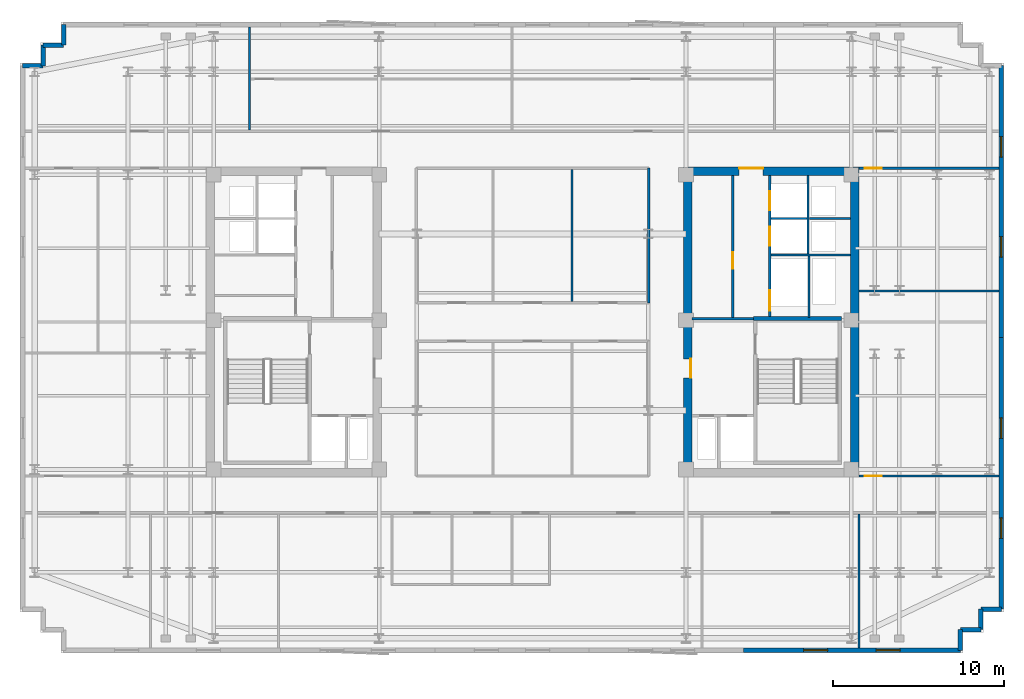
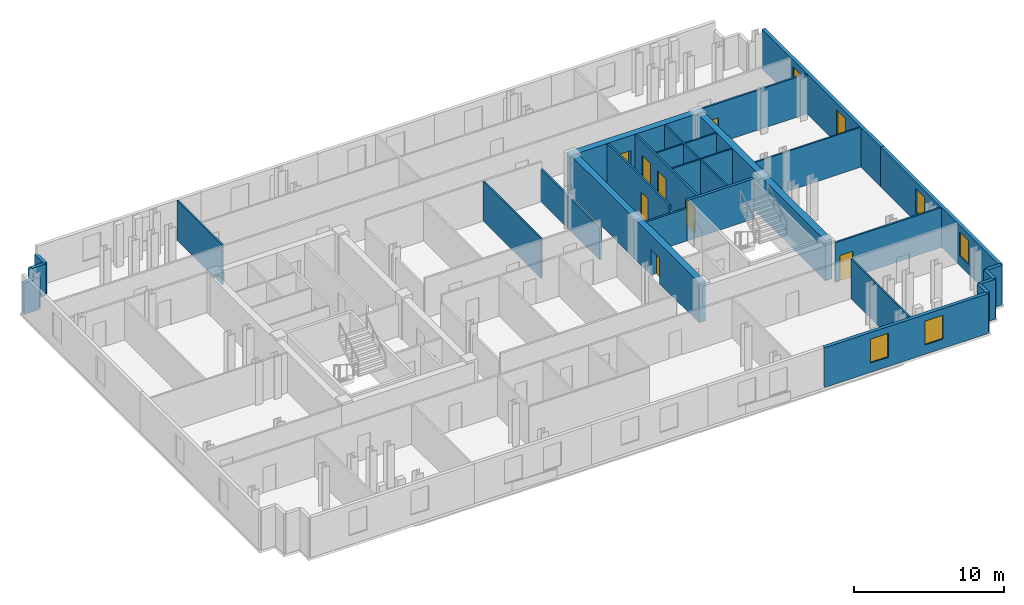
# One storey, part 6 of 9: 30 walls, 8 doors, 6 windows, 14 openings.
"""IFC4 building model written with IfcOpenShell, lengths in metres."""

from ifc_helpers import new_model, si_unit, direction, frame, frame_2d, origin, place, context, subcontext, project, spatial, rectangle, extrude, material, layer, layer_set, type_object, element, fill, save


model = new_model("IFC4")

# Units and contexts
model_context = context("Model", 3, precision=1e-05, world=origin(), true_north=direction((0.0, 1.0)))
body_context = subcontext(model_context, "Body", "Model", "MODEL_VIEW")
ifc_project = project(units=[si_unit("LENGTHUNIT", "METRE"), si_unit("AREAUNIT", "SQUARE_METRE"), si_unit("VOLUMEUNIT", "CUBIC_METRE"), si_unit("PLANEANGLEUNIT", "RADIAN"), si_unit("MASSUNIT", "GRAM", prefix="KILO")], contexts=[model_context])

# Site, building, storey
site_placement = place(None, origin())
site = spatial("IfcSite", under=ifc_project, at=site_placement, CompositionType="ELEMENT")
building_placement = place(site_placement, origin())
building = spatial("IfcBuilding", under=site, at=building_placement, Name="Velakula Bourse", CompositionType="ELEMENT")
storey_placement = place(building_placement, frame((0.0, 0.0, 229.199951171875)))
storey = spatial("IfcBuildingStorey", under=building, at=storey_placement, Name="L62", CompositionType="ELEMENT", Elevation=229.199951171875)

# Wall
ifc_material_1 = material(Name="Concrete M50 (fck 50 MPa)", Category="concrete")
ifc_layer_1 = layer(ifc_material_1, 0.2099609375, Name="Concrete M50 (fck 50 MPa)", Category="concrete")
ifc_layer_set_1 = layer_set([ifc_layer_1], Name="Concrete M50 (fck 50 MPa)")
wall_type_1 = type_object("IfcWallType", Name="WL-CORE-210", PredefinedType="SHEAR", material=ifc_layer_set_1)
wall_1_placement = place(storey_placement, frame((18.030029296875, 0.205078125, 0.0), z_axis=(0.0, 0.0, 1.0), x_axis=(-1.0, 0.0, 0.0)))
element("IfcWall", 1, at=wall_1_placement, inside=storey, type_object=wall_type_1, Name="L62 Core E Stairwell Shear Wall N", PredefinedType="SHEAR", context=body_context, shape_type="SweptSolid", body=[
    extrude(rectangle(XDim=5.14013671875, YDim=0.2099609375, at=frame_2d((2.570068359375, 0.0))), origin(), (0.0, 0.0, 1.0), 3.27001953125),
])

# Wall, opening, door
ifc_layer_2 = layer(ifc_material_1, 0.5, Name="Concrete M50 (fck 50 MPa)", Category="concrete")
ifc_layer_set_2 = layer_set([ifc_layer_2], Name="Concrete M50 (fck 50 MPa)")
wall_type_2 = type_object("IfcWallType", Name="WL-CORE-500", PredefinedType="SHEAR", material=ifc_layer_set_2)
wall_2_placement = place(storey_placement, frame((8.800048828125, 8.800048828125, 0.0), z_axis=(0.0, 0.0, 1.0), x_axis=(1.0, 0.0, 0.0)))
wall_2 = element("IfcWall", 2, at=wall_2_placement, inside=storey, type_object=wall_type_2, Name="L62 Core E Shear Wall N", PredefinedType="SHEAR", context=body_context, shape_type="SweptSolid", body=[
    extrude(rectangle(XDim=10.25, YDim=0.5, at=frame_2d((5.125, 0.0))), origin(), (0.0, 0.0, 1.0), 3.27001953125),
])
opening_1_placement = place(wall_2_placement, frame((3.25, 0.0, 0.0)))
opening_1 = element("IfcOpeningElement", 3, at=opening_1_placement, cuts=wall_2, Name="Opening D-LLE", PredefinedType="OPENING", context=body_context, shape_type="SweptSolid", body=[
    extrude(rectangle(XDim=1.39990234375, YDim=2.050048828125, at=frame_2d((0.699951171875, 1.02490234375))), frame((0.0, 0.260009765625, 0.0), z_axis=(0.0, -1.0, 0.0), x_axis=(1.0, 0.0, 0.0)), (0.0, 0.0, 1.0), 0.52001953125),
])
ifc_material_2 = material(Name="Fire-rated hardwood flush architectural door", Category="wood")
door_type_1 = type_object("IfcDoorType", Name="DR-DBL-FD60-1400", OperationType="DOUBLE_DOOR_SINGLE_SWING", PredefinedType="DOOR", material=ifc_material_2)
door_1_placement = place(opening_1_placement, origin())
door_1 = element("IfcDoor", 4, at=door_1_placement, inside=storey, type_object=door_type_1, Name="L62 Core E Lift Lobby Corridor Double Door", OperationType="DOUBLE_DOOR_SINGLE_SWING", OverallHeight=2.050048828125, OverallWidth=1.39990234375, PredefinedType="DOOR", context=body_context, shape_type="SweptSolid", body=[
    extrude(rectangle(XDim=1.39990234375, YDim=2.050048828125, at=frame_2d((0.699951171875, 1.02490234375))), frame((0.0, 0.19482421875, 0.0), z_axis=(0.0, -1.0, 0.0), x_axis=(1.0, 0.0, 0.0)), (0.0, 0.0, 1.0), 0.050048828125),
])
fill(opening_1, door_1)

wall_3_placement = place(storey_placement, frame((9.050048828125, -8.550048828125, 0.0), z_axis=(0.0, 0.0, 1.0), x_axis=(0.0, 1.0, 0.0)))
wall_3 = element("IfcWall", 5, at=wall_3_placement, inside=storey, type_object=wall_type_2, Name="L62 Core E Shear Wall W", PredefinedType="SHEAR", context=body_context, shape_type="SweptSolid", body=[
    extrude(rectangle(XDim=17.10009765625, YDim=0.5, at=frame_2d((8.550048828125, 0.0))), origin(), (0.0, 0.0, 1.0), 3.27001953125),
])
opening_2_placement = place(wall_3_placement, frame((5.300048828125, 0.0, 0.0)))
opening_2 = element("IfcOpeningElement", 6, at=opening_2_placement, cuts=wall_3, Name="Opening D-FLE", PredefinedType="OPENING", context=body_context, shape_type="SweptSolid", body=[
    extrude(rectangle(XDim=1.10009765625, YDim=2.080078125, at=frame_2d((0.550048828125, 1.0400390625))), frame((0.0, 0.260009765625, 0.0), z_axis=(0.0, -1.0, 0.0), x_axis=(1.0, 0.0, 0.0)), (0.0, 0.0, 1.0), 0.52001953125),
])
ifc_material_3 = material(Name="Galvanised painted hollow steel fire door", Category="steel")
door_type_2 = type_object("IfcDoorType", Name="DR-FD120-1100", OperationType="NOTDEFINED", PredefinedType="DOOR", material=ifc_material_3)
door_2_placement = place(opening_2_placement, origin())
door_2 = element("IfcDoor", 7, at=door_2_placement, inside=storey, type_object=door_type_2, Name="L62 Firefighting Lobby E Corridor Fire Door", OperationType="SINGLE_SWING_RIGHT", OverallHeight=2.080078125, OverallWidth=1.10009765625, PredefinedType="DOOR", context=body_context, shape_type="SweptSolid", body=[
    extrude(rectangle(XDim=1.10009765625, YDim=2.080078125, at=frame_2d((0.550048828125, 1.0400390625))), frame((0.0, -0.15478515625, 0.0), z_axis=(0.0, -1.0, 0.0), x_axis=(1.0, 0.0, 0.0)), (0.0, 0.0, 1.0), 0.050048828125),
])
fill(opening_2, door_2)

# Wall
wall_4_placement = place(storey_placement, frame((18.800048828125, -8.550048828125, 0.0), z_axis=(0.0, 0.0, 1.0), x_axis=(0.0, 1.0, 0.0)))
element("IfcWall", 8, at=wall_4_placement, inside=storey, type_object=wall_type_2, Name="L62 Core E Shear Wall E", PredefinedType="SHEAR", context=body_context, shape_type="SweptSolid", body=[
    extrude(rectangle(XDim=17.10009765625, YDim=0.5, at=frame_2d((8.550048828125, 0.0))), origin(), (0.0, 0.0, 1.0), 3.27001953125),
])

# Wall, openings, windows
ifc_material_4 = material(Name="Buff kilned clay facing brick masonry", Category="masonry")
ifc_layer_3 = layer(ifc_material_4, 0.260009765625, Name="Buff kilned clay facing brick masonry", Category="masonry")
ifc_layer_set_3 = layer_set([ifc_layer_3], Name="Buff kilned clay facing brick masonry")
wall_type_3 = type_object("IfcWallType", Name="WL-EXT-BRK-260", PredefinedType="STANDARD", material=ifc_layer_set_3)
wall_5_placement = place(storey_placement, frame((24.949951171875, -19.14990234375, 0.0), z_axis=(0.0, 0.0, 1.0), x_axis=(-1.0, 0.0, 0.0)))
wall_5 = element("IfcWall", 9, at=wall_5_placement, inside=storey, type_object=wall_type_3, Name="L62 S Brick Spandrel Wall B5", PredefinedType="STANDARD", context=body_context, shape_type="SweptSolid", body=[
    extrude(rectangle(XDim=12.64990234375, YDim=0.260009765625, at=frame_2d((6.324951171875, 0.0))), origin(), (0.0, 0.0, 1.0), 3.25),
])
opening_3_placement = place(wall_5_placement, frame((3.5166015625, 0.0, 0.760009765625)))
opening_3 = element("IfcOpeningElement", 10, at=opening_3_placement, cuts=wall_5, Name="Opening W-03", PredefinedType="OPENING", context=body_context, shape_type="SweptSolid", body=[
    extrude(rectangle(XDim=1.39990234375, YDim=1.949951171875, at=frame_2d((0.699951171875, 0.97509765625))), frame((0.0, 0.139892578125, 0.0), z_axis=(0.0, -1.0, 0.0), x_axis=(1.0, 0.0, 0.0)), (0.0, 0.0, 1.0), 0.280029296875),
])
opening_4_placement = place(wall_5_placement, frame((7.7333984375, 0.0, 0.760009765625)))
opening_4 = element("IfcOpeningElement", 11, at=opening_4_placement, cuts=wall_5, Name="Opening W-03", PredefinedType="OPENING", context=body_context, shape_type="SweptSolid", body=[
    extrude(rectangle(XDim=1.39990234375, YDim=1.949951171875, at=frame_2d((0.699951171875, 0.97509765625))), frame((0.0, 0.139892578125, 0.0), z_axis=(0.0, -1.0, 0.0), x_axis=(1.0, 0.0, 0.0)), (0.0, 0.0, 1.0), 0.280029296875),
])
ifc_material_5 = material(Name="Double-glazed solar-control Low-E glass", Category="glass")
window_type_1 = type_object("IfcWindowType", Name="WIN-TWR-1400x2100", PartitioningType="SINGLE_PANEL", PredefinedType="WINDOW", material=ifc_material_5)
window_1_placement = place(opening_3_placement, origin())
window_1 = element("IfcWindow", 12, at=window_1_placement, inside=storey, type_object=window_type_1, Name="L62 Deep-Set Recessed Window 1", OverallHeight=1.949951171875, OverallWidth=1.39990234375, PartitioningType="SINGLE_PANEL", PredefinedType="WINDOW", context=body_context, shape_type="SweptSolid", body=[
    extrude(rectangle(XDim=1.39990234375, YDim=1.949951171875, at=frame_2d((0.699951171875, 0.97509765625))), frame((0.0, 0.030029296875, 0.0), z_axis=(0.0, -1.0, 0.0), x_axis=(1.0, 0.0, 0.0)), (0.0, 0.0, 1.0), 0.06005859375),
])
fill(opening_3, window_1)
window_2_placement = place(opening_4_placement, origin())
window_2 = element("IfcWindow", 13, at=window_2_placement, inside=storey, type_object=window_type_1, Name="L62 Deep-Set Recessed Window 2", OverallHeight=1.949951171875, OverallWidth=1.39990234375, PartitioningType="SINGLE_PANEL", PredefinedType="WINDOW", context=body_context, shape_type="SweptSolid", body=[
    extrude(rectangle(XDim=1.39990234375, YDim=1.949951171875, at=frame_2d((0.699951171875, 0.97509765625))), frame((0.0, 0.030029296875, 0.0), z_axis=(0.0, -1.0, 0.0), x_axis=(1.0, 0.0, 0.0)), (0.0, 0.0, 1.0), 0.06005859375),
])
fill(opening_4, window_2)

wall_6_placement = place(storey_placement, frame((27.35009765625, -0.89990234375, 0.0), z_axis=(0.0, 0.0, 1.0), x_axis=(0.0, -1.0, 0.0)))
wall_6 = element("IfcWall", 14, at=wall_6_placement, inside=storey, type_object=wall_type_3, Name="L62 E Brick End Wall W1", PredefinedType="STANDARD", context=body_context, shape_type="SweptSolid", body=[
    extrude(rectangle(XDim=15.85009765625, YDim=0.260009765625, at=frame_2d((7.925048828125, 0.0))), origin(), (0.0, 0.0, 1.0), 3.25),
])
opening_5_placement = place(wall_6_placement, frame((4.683349609375, 0.0, 0.760009765625)))
opening_5 = element("IfcOpeningElement", 15, at=opening_5_placement, cuts=wall_6, Name="Opening W-04", PredefinedType="OPENING", context=body_context, shape_type="SweptSolid", body=[
    extrude(rectangle(XDim=1.199951171875, YDim=1.949951171875, at=frame_2d((0.60009765625, 0.97509765625))), frame((0.0, 0.139892578125, 0.0), z_axis=(0.0, -1.0, 0.0), x_axis=(1.0, 0.0, 0.0)), (0.0, 0.0, 1.0), 0.280029296875),
])
opening_6_placement = place(wall_6_placement, frame((10.5166015625, 0.0, 0.760009765625)))
opening_6 = element("IfcOpeningElement", 16, at=opening_6_placement, cuts=wall_6, Name="Opening W-04", PredefinedType="OPENING", context=body_context, shape_type="SweptSolid", body=[
    extrude(rectangle(XDim=1.199951171875, YDim=1.949951171875, at=frame_2d((0.60009765625, 0.97509765625))), frame((0.0, 0.139892578125, 0.0), z_axis=(0.0, -1.0, 0.0), x_axis=(1.0, 0.0, 0.0)), (0.0, 0.0, 1.0), 0.280029296875),
])
window_type_2 = type_object("IfcWindowType", Name="WIN-TWR-1200x2100", PartitioningType="SINGLE_PANEL", PredefinedType="WINDOW", material=ifc_material_5)
window_3_placement = place(opening_5_placement, origin())
window_3 = element("IfcWindow", 17, at=window_3_placement, inside=storey, type_object=window_type_2, Name="L62 Deep-Set Recessed Window 1", OverallHeight=1.949951171875, OverallWidth=1.199951171875, PartitioningType="SINGLE_PANEL", PredefinedType="WINDOW", context=body_context, shape_type="SweptSolid", body=[
    extrude(rectangle(XDim=1.199951171875, YDim=1.949951171875, at=frame_2d((0.60009765625, 0.97509765625))), frame((0.0, 0.030029296875, 0.0), z_axis=(0.0, -1.0, 0.0), x_axis=(1.0, 0.0, 0.0)), (0.0, 0.0, 1.0), 0.06005859375),
])
fill(opening_5, window_3)
window_4_placement = place(opening_6_placement, origin())
window_4 = element("IfcWindow", 18, at=window_4_placement, inside=storey, type_object=window_type_2, Name="L62 Deep-Set Recessed Window 2", OverallHeight=1.949951171875, OverallWidth=1.199951171875, PartitioningType="SINGLE_PANEL", PredefinedType="WINDOW", context=body_context, shape_type="SweptSolid", body=[
    extrude(rectangle(XDim=1.199951171875, YDim=1.949951171875, at=frame_2d((0.60009765625, 0.97509765625))), frame((0.0, 0.030029296875, 0.0), z_axis=(0.0, -1.0, 0.0), x_axis=(1.0, 0.0, 0.0)), (0.0, 0.0, 1.0), 0.06005859375),
])
fill(opening_6, window_4)

wall_7_placement = place(storey_placement, frame((27.35009765625, 14.949951171875, 0.0), z_axis=(0.0, 0.0, 1.0), x_axis=(0.0, -1.0, 0.0)))
wall_7 = element("IfcWall", 19, at=wall_7_placement, inside=storey, type_object=wall_type_3, Name="L62 E Brick End Wall W2", PredefinedType="STANDARD", context=body_context, shape_type="SweptSolid", body=[
    extrude(rectangle(XDim=15.849853515625, YDim=0.260009765625, at=frame_2d((7.9248046875, 0.0))), origin(), (0.0, 0.0, 1.0), 3.25),
])
opening_7_placement = place(wall_7_placement, frame((4.13330078125, 0.0, 0.760009765625)))
opening_7 = element("IfcOpeningElement", 20, at=opening_7_placement, cuts=wall_7, Name="Opening W-04", PredefinedType="OPENING", context=body_context, shape_type="SweptSolid", body=[
    extrude(rectangle(XDim=1.199951171875, YDim=1.949951171875, at=frame_2d((0.60009765625, 0.97509765625))), frame((0.0, 0.139892578125, 0.0), z_axis=(0.0, -1.0, 0.0), x_axis=(1.0, 0.0, 0.0)), (0.0, 0.0, 1.0), 0.280029296875),
])
opening_8_placement = place(wall_7_placement, frame((9.966796875, 0.0, 0.760009765625)))
opening_8 = element("IfcOpeningElement", 21, at=opening_8_placement, cuts=wall_7, Name="Opening W-04", PredefinedType="OPENING", context=body_context, shape_type="SweptSolid", body=[
    extrude(rectangle(XDim=1.199951171875, YDim=1.949951171875, at=frame_2d((0.60009765625, 0.97509765625))), frame((0.0, 0.139892578125, 0.0), z_axis=(0.0, -1.0, 0.0), x_axis=(1.0, 0.0, 0.0)), (0.0, 0.0, 1.0), 0.280029296875),
])
window_5_placement = place(opening_7_placement, origin())
window_5 = element("IfcWindow", 22, at=window_5_placement, inside=storey, type_object=window_type_2, Name="L62 Deep-Set Recessed Window 1", OverallHeight=1.949951171875, OverallWidth=1.199951171875, PartitioningType="SINGLE_PANEL", PredefinedType="WINDOW", context=body_context, shape_type="SweptSolid", body=[
    extrude(rectangle(XDim=1.199951171875, YDim=1.949951171875, at=frame_2d((0.60009765625, 0.97509765625))), frame((0.0, 0.030029296875, 0.0), z_axis=(0.0, -1.0, 0.0), x_axis=(1.0, 0.0, 0.0)), (0.0, 0.0, 1.0), 0.06005859375),
])
fill(opening_7, window_5)
window_6_placement = place(opening_8_placement, origin())
window_6 = element("IfcWindow", 23, at=window_6_placement, inside=storey, type_object=window_type_2, Name="L62 Deep-Set Recessed Window 2", OverallHeight=1.949951171875, OverallWidth=1.199951171875, PartitioningType="SINGLE_PANEL", PredefinedType="WINDOW", context=body_context, shape_type="SweptSolid", body=[
    extrude(rectangle(XDim=1.199951171875, YDim=1.949951171875, at=frame_2d((0.60009765625, 0.97509765625))), frame((0.0, 0.030029296875, 0.0), z_axis=(0.0, -1.0, 0.0), x_axis=(1.0, 0.0, 0.0)), (0.0, 0.0, 1.0), 0.06005859375),
])
fill(opening_8, window_6)

# Walls
for number, where, z_axis, x_axis, name in (
    (24, (24.949951171875, -19.14990234375, 0.0), (0.0, 0.0, 1.0), (0.0, 1.0, 0.0), "L62 Serrated Corner Brick Wall SE-1"),
    (25, (24.949951171875, -17.949951171875, 0.0), (0.0, 0.0, 1.0), (1.0, 0.0, 0.0), "L62 Serrated Corner Brick Wall SE-2"),
    (26, (26.14990234375, -17.949951171875, 0.0), (0.0, 0.0, 1.0), (0.0, 1.0, 0.0), "L62 Serrated Corner Brick Wall SE-3"),
):
    element("IfcWall", number, at=place(storey_placement, frame(where, z_axis=z_axis, x_axis=x_axis)), inside=storey, type_object=wall_type_3, Name=name, PredefinedType="STANDARD", context=body_context, shape_type="SweptSolid", body=[
        extrude(rectangle(XDim=1.199951171875, YDim=0.260009765625, at=frame_2d((0.60009765625, 0.0))), origin(), (0.0, 0.0, 1.0), 3.25),
    ])
wall_8_placement = place(storey_placement, frame((26.14990234375, -16.75, 0.0), z_axis=(0.0, 0.0, 1.0), x_axis=(1.0, 0.0, 0.0)))
element("IfcWall", 27, at=wall_8_placement, inside=storey, type_object=wall_type_3, Name="L62 Serrated Corner Brick Wall SE-4", PredefinedType="STANDARD", context=body_context, shape_type="SweptSolid", body=[
    extrude(rectangle(XDim=1.2001953125, YDim=0.260009765625, at=frame_2d((0.60009765625, 0.0))), origin(), (0.0, 0.0, 1.0), 3.25),
])
wall_9_placement = place(storey_placement, frame((-27.35009765625, 17.35009765625, 0.0), z_axis=(0.0, 0.0, 1.0), x_axis=(0.0, -1.0, 0.0)))
element("IfcWall", 28, at=wall_9_placement, inside=storey, type_object=wall_type_3, Name="L62 Serrated Corner Brick Wall NW-1", PredefinedType="STANDARD", context=body_context, shape_type="SweptSolid", body=[
    extrude(rectangle(XDim=1.2001953125, YDim=0.260009765625, at=frame_2d((0.60009765625, 0.0))), origin(), (0.0, 0.0, 1.0), 2.56494140625),
])
for number, where, z_axis, x_axis, name in (
    (29, (-27.35009765625, 16.14990234375, 0.0), (0.0, 0.0, 1.0), (-1.0, 0.0, 0.0), "L62 Serrated Corner Brick Wall NW-2"),
    (30, (-28.550048828125, 16.14990234375, 0.0), (0.0, 0.0, 1.0), (0.0, -1.0, 0.0), "L62 Serrated Corner Brick Wall NW-3"),
    (31, (-28.550048828125, 14.949951171875, 0.0), (0.0, 0.0, 1.0), (-1.0, 0.0, 0.0), "L62 Serrated Corner Brick Wall NW-4"),
):
    element("IfcWall", number, at=place(storey_placement, frame(where, z_axis=z_axis, x_axis=x_axis)), inside=storey, type_object=wall_type_3, Name=name, PredefinedType="STANDARD", context=body_context, shape_type="SweptSolid", body=[
        extrude(rectangle(XDim=1.199951171875, YDim=0.260009765625, at=frame_2d((0.60009765625, 0.0))), origin(), (0.0, 0.0, 1.0), 2.56494140625),
    ])
ifc_material_6 = material(Name="Fire-rated double-layer gypsum drywall partition", Category="gypsum")
ifc_layer_4 = layer(ifc_material_6, 0.1201171875, Name="Fire-rated double-layer gypsum drywall partition", Category="gypsum")
ifc_layer_set_4 = layer_set([ifc_layer_4], Name="Fire-rated double-layer gypsum drywall partition")
wall_type_4 = type_object("IfcWallType", Name="WL-PART-120", PredefinedType="STANDARD", material=ifc_layer_set_4)
wall_10_placement = place(storey_placement, frame((13.89990234375, 3.919921875, 0.0), z_axis=(0.0, 0.0, 1.0), x_axis=(1.0, 0.0, 0.0)))
element("IfcWall", 32, at=wall_10_placement, inside=storey, type_object=wall_type_4, Name="L62 Interior Partition WL-CRE-L62-HI-S", PredefinedType="STANDARD", context=body_context, shape_type="SweptSolid", body=[
    extrude(rectangle(XDim=4.650146484375, YDim=0.1201171875, at=frame_2d((2.3251953125, 0.0))), origin(), (0.0, 0.0, 1.0), 3.25),
])
wall_11_placement = place(storey_placement, frame((16.14990234375, 6.030029296875, 0.0), z_axis=(0.0, 0.0, 1.0), x_axis=(1.0, 0.0, 0.0)))
element("IfcWall", 33, at=wall_11_placement, inside=storey, type_object=wall_type_4, Name="L62 Interior Partition WL-CRE-L62-RIS-MID", PredefinedType="STANDARD", context=body_context, shape_type="SweptSolid", body=[
    extrude(rectangle(XDim=2.400146484375, YDim=0.1201171875, at=frame_2d((1.2001953125, 0.0))), origin(), (0.0, 0.0, 1.0), 3.25),
])
wall_12_placement = place(storey_placement, frame((16.074951171875, 3.97998046875, 0.0), z_axis=(0.0, 0.0, 1.0), x_axis=(0.0, 1.0, 0.0)))
element("IfcWall", 34, at=wall_12_placement, inside=storey, type_object=wall_type_4, Name="L62 Interior Partition WL-CRE-L62-RIS-F", PredefinedType="STANDARD", context=body_context, shape_type="SweptSolid", body=[
    extrude(rectangle(XDim=4.570068359375, YDim=0.1201171875, at=frame_2d((2.28515625, 0.0))), origin(), (0.0, 0.0, 1.0), 3.25),
])
wall_13_placement = place(storey_placement, frame((13.89990234375, 6.030029296875, 0.0), z_axis=(0.0, 0.0, 1.0), x_axis=(1.0, 0.0, 0.0)))
element("IfcWall", 35, at=wall_13_placement, inside=storey, type_object=wall_type_4, Name="L62 Interior Partition WL-CRE-L62-HI-DIV", PredefinedType="STANDARD", context=body_context, shape_type="SweptSolid", body=[
    extrude(rectangle(XDim=2.10009765625, YDim=0.1201171875, at=frame_2d((1.050048828125, 0.0))), origin(), (0.0, 0.0, 1.0), 3.25),
])
wall_14_placement = place(storey_placement, frame((16.125, 0.27001953125, 0.0), z_axis=(0.0, 0.0, 1.0), x_axis=(0.0, 1.0, 0.0)))
element("IfcWall", 36, at=wall_14_placement, inside=storey, type_object=wall_type_4, Name="L62 Interior Partition WL-CRE-L62-SVL-E", PredefinedType="STANDARD", context=body_context, shape_type="SweptSolid", body=[
    extrude(rectangle(XDim=3.590087890625, YDim=0.1201171875, at=frame_2d((1.794921875, 0.0))), origin(), (0.0, 0.0, 1.0), 3.25),
])
wall_15_placement = place(storey_placement, frame((-16.513916015625, 11.18994140625, 0.0), z_axis=(0.0, 0.0, 1.0), x_axis=(0.0, 1.0, 0.0)))
element("IfcWall", 37, at=wall_15_placement, inside=storey, type_object=wall_type_4, Name="L62 Interior Partition WL-INT-L62-N-D1", PredefinedType="STANDARD", context=body_context, shape_type="SweptSolid", body=[
    extrude(rectangle(XDim=6.030029296875, YDim=0.1201171875, at=frame_2d((3.01513671875, 0.0))), origin(), (0.0, 0.0, 1.0), 3.25),
])
wall_16_placement = place(storey_placement, frame((19.050048828125, -19.02001953125, 0.0), z_axis=(0.0, 0.0, 1.0), x_axis=(0.0, 1.0, 0.0)))
element("IfcWall", 38, at=wall_16_placement, inside=storey, type_object=wall_type_4, Name="L62 Interior Partition WL-INT-L62-SR-D8", PredefinedType="STANDARD", context=body_context, shape_type="SweptSolid", body=[
    extrude(rectangle(XDim=7.830078125, YDim=0.1201171875, at=frame_2d((3.9150390625, 0.0))), origin(), (0.0, 0.0, 1.0), 3.25),
])
wall_17_placement = place(storey_placement, frame((19.050048828125, 1.800048828125, 0.0), z_axis=(0.0, 0.0, 1.0), x_axis=(1.0, 0.0, 0.0)))
element("IfcWall", 39, at=wall_17_placement, inside=storey, type_object=wall_type_4, Name="L62 Interior Partition WL-INT-L62-E-H", PredefinedType="STANDARD", context=body_context, shape_type="SweptSolid", body=[
    extrude(rectangle(XDim=8.169921875, YDim=0.1201171875, at=frame_2d((4.0849609375, 0.0))), origin(), (0.0, 0.0, 1.0), 3.25),
])

# Wall, opening, door
ifc_layer_5 = layer(ifc_material_6, 0.139892578125, Name="Fire-rated double-layer gypsum drywall partition", Category="gypsum")
ifc_layer_set_5 = layer_set([ifc_layer_5], Name="Fire-rated double-layer gypsum drywall partition")
wall_type_5 = type_object("IfcWallType", Name="WL-PART-140", PredefinedType="STANDARD", material=ifc_layer_set_5)
wall_18_placement = place(storey_placement, frame((19.050048828125, 8.97998046875, 0.0), z_axis=(0.0, 0.0, 1.0), x_axis=(1.0, 0.0, 0.0)))
wall_18 = element("IfcWall", 40, at=wall_18_placement, inside=storey, type_object=wall_type_5, Name="L62 Interior Partition WL-INT-L62-E-NC", PredefinedType="STANDARD", context=body_context, shape_type="SweptSolid", body=[
    extrude(rectangle(XDim=8.169921875, YDim=0.139892578125, at=frame_2d((4.0849609375, 0.0))), origin(), (0.0, 0.0, 1.0), 3.25),
])
opening_9_placement = place(wall_18_placement, frame((0.320068359375, 0.0, 0.0)))
opening_9 = element("IfcOpeningElement", 41, at=opening_9_placement, cuts=wall_18, Name="Opening D-OF1", PredefinedType="OPENING", context=body_context, shape_type="SweptSolid", body=[
    extrude(rectangle(XDim=1.0, YDim=2.080078125, at=frame_2d((0.5, 1.0400390625))), frame((0.0, 0.079833984375, 0.0), z_axis=(0.0, -1.0, 0.0), x_axis=(1.0, 0.0, 0.0)), (0.0, 0.0, 1.0), 0.159912109375),
])
door_type_3 = type_object("IfcDoorType", Name="DR-OFF-1000", OperationType="NOTDEFINED", PredefinedType="DOOR", material=ifc_material_2)
door_3_placement = place(opening_9_placement, origin())
door_3 = element("IfcDoor", 42, at=door_3_placement, inside=storey, type_object=door_type_3, Name="L62 Legal Counsel Office Door", OperationType="SINGLE_SWING_LEFT", OverallHeight=2.080078125, OverallWidth=1.0, PredefinedType="DOOR", context=body_context, shape_type="SweptSolid", body=[
    extrude(rectangle(XDim=1.0, YDim=2.080078125, at=frame_2d((0.5, 1.0400390625))), frame((0.0, 0.02490234375, 0.0), z_axis=(0.0, -1.0, 0.0), x_axis=(1.0, 0.0, 0.0)), (0.0, 0.0, 1.0), 0.050048828125),
])
fill(opening_9, door_3)

wall_19_placement = place(storey_placement, frame((19.050048828125, -8.97998046875, 0.0), z_axis=(0.0, 0.0, 1.0), x_axis=(1.0, 0.0, 0.0)))
wall_19 = element("IfcWall", 43, at=wall_19_placement, inside=storey, type_object=wall_type_5, Name="L62 Interior Partition WL-INT-L62-E-SC", PredefinedType="STANDARD", context=body_context, shape_type="SweptSolid", body=[
    extrude(rectangle(XDim=8.169921875, YDim=0.139892578125, at=frame_2d((4.0849609375, 0.0))), origin(), (0.0, 0.0, 1.0), 3.25),
])
opening_10_placement = place(wall_19_placement, frame((0.320068359375, 0.0, 0.0)))
opening_10 = element("IfcOpeningElement", 44, at=opening_10_placement, cuts=wall_19, Name="Opening D-OF1", PredefinedType="OPENING", context=body_context, shape_type="SweptSolid", body=[
    extrude(rectangle(XDim=1.0, YDim=2.080078125, at=frame_2d((0.5, 1.0400390625))), frame((0.0, 0.079833984375, 0.0), z_axis=(0.0, -1.0, 0.0), x_axis=(1.0, 0.0, 0.0)), (0.0, 0.0, 1.0), 0.159912109375),
])
door_4_placement = place(opening_10_placement, origin())
door_4 = element("IfcDoor", 45, at=door_4_placement, inside=storey, type_object=door_type_3, Name="L62 Corporate Filings Workspace Door", OperationType="SINGLE_SWING_RIGHT", OverallHeight=2.080078125, OverallWidth=1.0, PredefinedType="DOOR", context=body_context, shape_type="SweptSolid", body=[
    extrude(rectangle(XDim=1.0, YDim=2.080078125, at=frame_2d((0.5, 1.0400390625))), frame((0.0, 0.02490234375, 0.0), z_axis=(0.0, -1.0, 0.0), x_axis=(1.0, 0.0, 0.0)), (0.0, 0.0, 1.0), 0.050048828125),
])
fill(opening_10, door_4)

# Walls
wall_20_placement = place(storey_placement, frame((6.780029296875, 1.1201171875, 0.0), z_axis=(0.0, 0.0, 1.0), x_axis=(0.0, 1.0, 0.0)))
element("IfcWall", 46, at=wall_20_placement, inside=storey, type_object=wall_type_5, Name="L62 Interior Partition WL-INT-L62-MN-E", PredefinedType="STANDARD", context=body_context, shape_type="SweptSolid", body=[
    extrude(rectangle(XDim=7.85986328125, YDim=0.139892578125, at=frame_2d((3.929931640625, 0.0))), origin(), (0.0, 0.0, 1.0), 2.64501953125),
])
wall_21_placement = place(storey_placement, frame((2.300048828125, 1.18994140625, 0.0), z_axis=(0.0, 0.0, 1.0), x_axis=(0.0, 1.0, 0.0)))
element("IfcWall", 47, at=wall_21_placement, inside=storey, type_object=wall_type_5, Name="L62 Interior Partition WL-INT-L62-MN-V2", PredefinedType="STANDARD", context=body_context, shape_type="SweptSolid", body=[
    extrude(rectangle(XDim=7.719970703125, YDim=0.1201171875, at=frame_2d((3.85986328125, 0.0))), origin(), (0.0, 0.0, 1.0), 3.25),
])
ifc_material_7 = material(Name="Autoclaved aerated concrete blockwork masonry", Category="masonry")
ifc_layer_6 = layer(ifc_material_7, 0.14990234375, Name="Autoclaved aerated concrete blockwork masonry", Category="masonry")
ifc_layer_set_6 = layer_set([ifc_layer_6], Name="Autoclaved aerated concrete blockwork masonry")
wall_type_6 = type_object("IfcWallType", Name="WL-SHAFT-150", PredefinedType="STANDARD", material=ifc_layer_set_6)
wall_22_placement = place(storey_placement, frame((9.300048828125, 0.18994140625, 0.0), z_axis=(0.0, 0.0, 1.0), x_axis=(1.0, 0.0, 0.0)))
element("IfcWall", 48, at=wall_22_placement, inside=storey, type_object=wall_type_6, Name="L62 Interior Partition WL-CRE-L62-FF-TOP", PredefinedType="STANDARD", context=body_context, shape_type="SweptSolid", body=[
    extrude(rectangle(XDim=3.58984375, YDim=0.14990234375, at=frame_2d((1.794921875, 0.0))), origin(), (0.0, 0.0, 1.0), 2.64501953125),
])

# Wall, opening, door
wall_23_placement = place(storey_placement, frame((11.675048828125, 0.27001953125, 0.0), z_axis=(0.0, 0.0, 1.0), x_axis=(0.0, 1.0, 0.0)))
wall_23 = element("IfcWall", 49, at=wall_23_placement, inside=storey, type_object=wall_type_6, Name="L62 Interior Partition WL-CRE-L62-BANK-F", PredefinedType="STANDARD", context=body_context, shape_type="SweptSolid", body=[
    extrude(rectangle(XDim=8.280029296875, YDim=0.14990234375, at=frame_2d((4.14013671875, 0.0))), origin(), (0.0, 0.0, 1.0), 3.25),
])
opening_11_placement = place(wall_23_placement, frame((2.85009765625, 0.0, 0.0)))
opening_11 = element("IfcOpeningElement", 50, at=opening_11_placement, cuts=wall_23, Name="Opening D-RC5", PredefinedType="OPENING", context=body_context, shape_type="SweptSolid", body=[
    extrude(rectangle(XDim=0.949951171875, YDim=2.050048828125, at=frame_2d((0.47509765625, 1.02490234375))), frame((0.0, 0.0849609375, 0.0), z_axis=(0.0, -1.0, 0.0), x_axis=(1.0, 0.0, 0.0)), (0.0, 0.0, 1.0), 0.169921875),
])
door_type_4 = type_object("IfcDoorType", Name="DR-FD60-950x2050", OperationType="NOTDEFINED", PredefinedType="DOOR", material=ifc_material_2)
door_5_placement = place(opening_11_placement, origin())
door_5 = element("IfcDoor", 51, at=door_5_placement, inside=storey, type_object=door_type_4, Name="L62 Reclaimed Multi-Bay Depository Room Door", OperationType="SINGLE_SWING_LEFT", OverallHeight=2.050048828125, OverallWidth=0.949951171875, PredefinedType="DOOR", context=body_context, shape_type="SweptSolid", body=[
    extrude(rectangle(XDim=0.949951171875, YDim=2.050048828125, at=frame_2d((0.47509765625, 1.02490234375))), frame((0.0, 0.02490234375, 0.0), z_axis=(0.0, -1.0, 0.0), x_axis=(1.0, 0.0, 0.0)), (0.0, 0.0, 1.0), 0.050048828125),
])
fill(opening_11, door_5)

# Wall, openings, doors
wall_24_placement = place(storey_placement, frame((13.824951171875, 0.27001953125, 0.0), z_axis=(0.0, 0.0, 1.0), x_axis=(0.0, 1.0, 0.0)))
wall_24 = element("IfcWall", 52, at=wall_24_placement, inside=storey, type_object=wall_type_6, Name="L62 Interior Partition WL-CRE-L62-OUT-F", PredefinedType="STANDARD", context=body_context, shape_type="SweptSolid", body=[
    extrude(rectangle(XDim=8.280029296875, YDim=0.14990234375, at=frame_2d((4.14013671875, 0.0))), origin(), (0.0, 0.0, 1.0), 3.25),
])
opening_12_placement = place(wall_24_placement, frame((4.175048828125, 0.0, 0.0)))
opening_12 = element("IfcOpeningElement", 53, at=opening_12_placement, cuts=wall_24, Name="Opening LD-P11", PredefinedType="OPENING", context=body_context, shape_type="SweptSolid", body=[
    extrude(rectangle(XDim=1.10009765625, YDim=2.10009765625, at=frame_2d((0.550048828125, 1.050048828125))), frame((0.0, 0.0849609375, 0.0), z_axis=(0.0, -1.0, 0.0), x_axis=(1.0, 0.0, 0.0)), (0.0, 0.0, 1.0), 0.169921875),
])
opening_13_placement = place(wall_24_placement, frame((6.2451171875, 0.0, 0.0)))
opening_13 = element("IfcOpeningElement", 54, at=opening_13_placement, cuts=wall_24, Name="Opening LD-P12", PredefinedType="OPENING", context=body_context, shape_type="SweptSolid", body=[
    extrude(rectangle(XDim=1.10009765625, YDim=2.10009765625, at=frame_2d((0.550048828125, 1.050048828125))), frame((0.0, 0.0849609375, 0.0), z_axis=(0.0, -1.0, 0.0), x_axis=(1.0, 0.0, 0.0)), (0.0, 0.0, 1.0), 0.169921875),
])
opening_14_placement = place(wall_24_placement, frame((0.3798828125, 0.0, 0.0)))
opening_14 = element("IfcOpeningElement", 55, at=opening_14_placement, cuts=wall_24, Name="Opening LD-SVL1", PredefinedType="OPENING", context=body_context, shape_type="SweptSolid", body=[
    extrude(rectangle(XDim=1.199951171875, YDim=2.10009765625, at=frame_2d((0.60009765625, 1.050048828125))), frame((0.0, 0.0849609375, 0.0), z_axis=(0.0, -1.0, 0.0), x_axis=(1.0, 0.0, 0.0)), (0.0, 0.0, 1.0), 0.169921875),
])
ifc_material_8 = material(Name="Brushed grade 316 stainless steel", Category="steel")
door_type_5 = type_object("IfcDoorType", Name="DR-SLIDE-LD-1100", OperationType="DOUBLE_DOOR_SLIDING", PredefinedType="DOOR", material=ifc_material_8)
door_6_placement = place(opening_12_placement, origin())
door_6 = element("IfcDoor", 56, at=door_6_placement, inside=storey, type_object=door_type_5, Name="L62 Passenger Lift P11 Sliding Landing Door", OperationType="DOUBLE_DOOR_SLIDING", OverallHeight=2.10009765625, OverallWidth=1.10009765625, PredefinedType="DOOR", context=body_context, shape_type="SweptSolid", body=[
    extrude(rectangle(XDim=1.10009765625, YDim=2.10009765625, at=frame_2d((0.550048828125, 1.050048828125))), frame((0.0, 0.02490234375, 0.0), z_axis=(0.0, -1.0, 0.0), x_axis=(1.0, 0.0, 0.0)), (0.0, 0.0, 1.0), 0.050048828125),
])
fill(opening_12, door_6)
door_7_placement = place(opening_13_placement, origin())
door_7 = element("IfcDoor", 57, at=door_7_placement, inside=storey, type_object=door_type_5, Name="L62 Passenger Lift P12 Sliding Landing Door", OperationType="DOUBLE_DOOR_SLIDING", OverallHeight=2.10009765625, OverallWidth=1.10009765625, PredefinedType="DOOR", context=body_context, shape_type="SweptSolid", body=[
    extrude(rectangle(XDim=1.10009765625, YDim=2.10009765625, at=frame_2d((0.550048828125, 1.050048828125))), frame((0.0, 0.02490234375, 0.0), z_axis=(0.0, -1.0, 0.0), x_axis=(1.0, 0.0, 0.0)), (0.0, 0.0, 1.0), 0.050048828125),
])
fill(opening_13, door_7)
door_type_6 = type_object("IfcDoorType", Name="DR-SLIDE-LD-1200", OperationType="DOUBLE_DOOR_SLIDING", PredefinedType="DOOR", material=ifc_material_8)
door_8_placement = place(opening_14_placement, origin())
door_8 = element("IfcDoor", 58, at=door_8_placement, inside=storey, type_object=door_type_6, Name="L62 Service Lift SVL-1 Sliding Landing Door", OperationType="DOUBLE_DOOR_SLIDING", OverallHeight=2.10009765625, OverallWidth=1.199951171875, PredefinedType="DOOR", context=body_context, shape_type="SweptSolid", body=[
    extrude(rectangle(XDim=1.199951171875, YDim=2.10009765625, at=frame_2d((0.60009765625, 1.050048828125))), frame((0.0, 0.02490234375, 0.0), z_axis=(0.0, -1.0, 0.0), x_axis=(1.0, 0.0, 0.0)), (0.0, 0.0, 1.0), 0.050048828125),
])
fill(opening_14, door_8)

save(model, "model.ifc")
